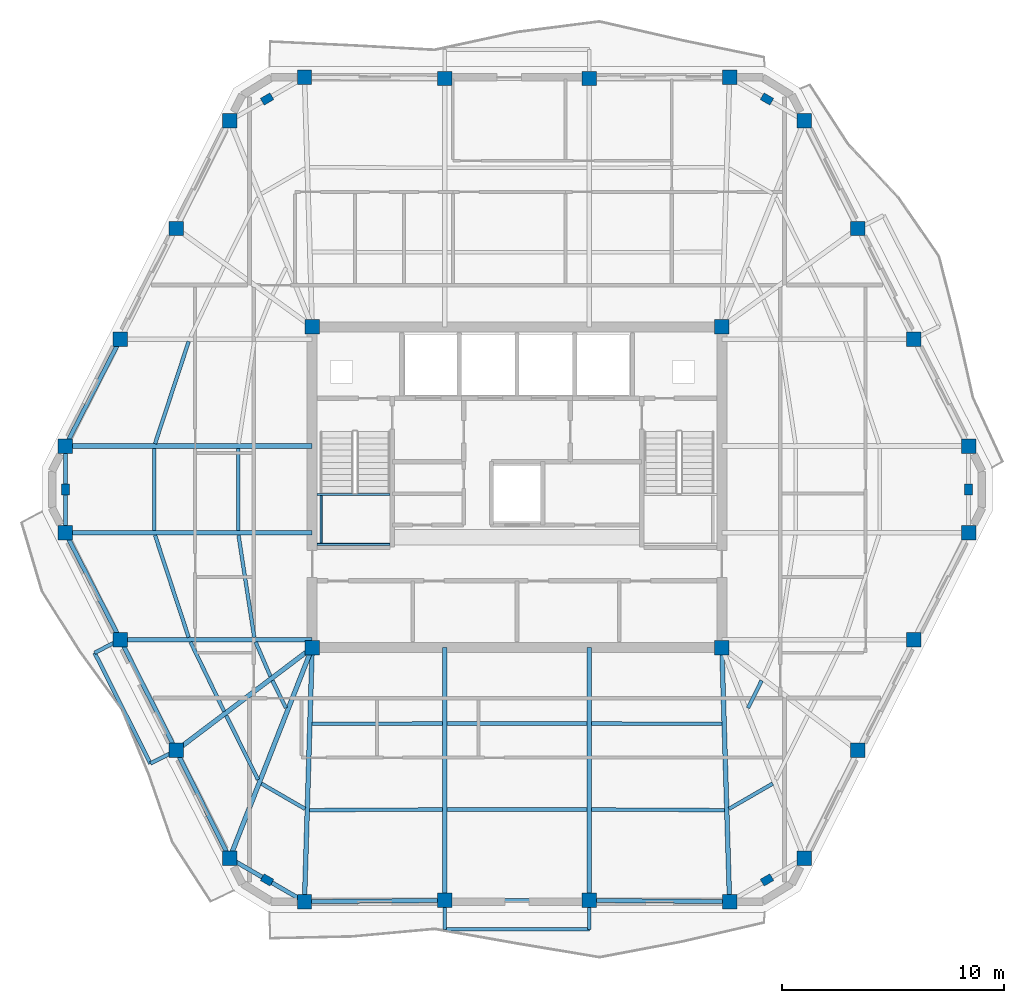
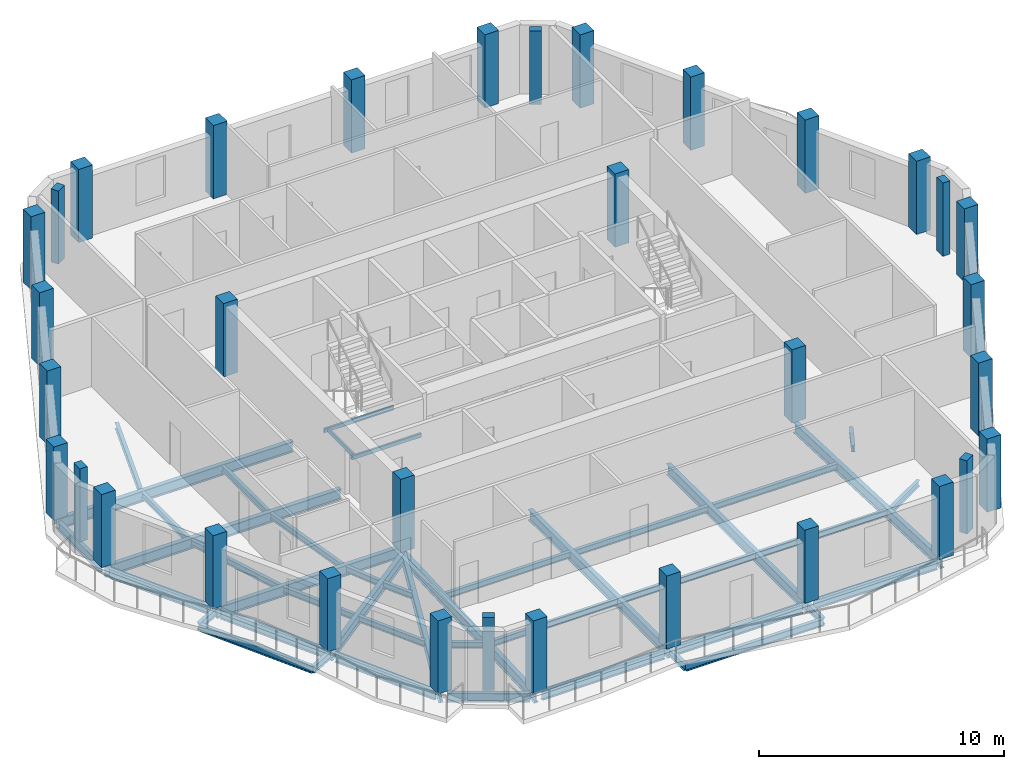
# One storey, part 1 of 10: 45 beams, 34 columns.
"""IFC4 building model written with IfcOpenShell, lengths in metres."""

from ifc_helpers import new_model, si_unit, direction, frame, origin, origin_2d, place, context, subcontext, project, spatial, rectangle, hollow_rectangle, i_section, extrude, material, material_profile, profile_set, type_object, element, save


model = new_model("IFC4")

# Units and contexts
model_context = context("Model", 3, precision=1e-05, world=origin(), true_north=direction((0.0, 1.0)))
body_context = subcontext(model_context, "Body", "Model", "MODEL_VIEW")
ifc_project = project(units=[si_unit("LENGTHUNIT", "METRE"), si_unit("AREAUNIT", "SQUARE_METRE"), si_unit("VOLUMEUNIT", "CUBIC_METRE"), si_unit("PLANEANGLEUNIT", "RADIAN"), si_unit("MASSUNIT", "GRAM", prefix="KILO")], contexts=[model_context])

# Site, building, storey
site_placement = place(None, origin())
site = spatial("IfcSite", under=ifc_project, at=site_placement, CompositionType="ELEMENT")
building_placement = place(site_placement, origin())
building = spatial("IfcBuilding", under=site, at=building_placement, Name="Cinnabar Lancet Tower", CompositionType="ELEMENT")
storey_placement = place(building_placement, frame((0.0, 0.0, 267.14990234375)))
storey = spatial("IfcBuildingStorey", under=building, at=storey_placement, Name="L71", CompositionType="ELEMENT", Elevation=267.14990234375)

# Columns
ifc_material_1 = material(Name="Concrete C50/60", Category="concrete")
ifc_material_profile_1 = material_profile(ifc_material_1, rectangle(XDim=0.64990234375, YDim=0.64990234375, at=origin_2d()), Name="RC-COL 650x650")
ifc_profile_set_1 = profile_set([ifc_material_profile_1], Name="Concrete C50/60")
column_type_1 = type_object("IfcColumnType", Name="STR-COL-CORE-650B", PredefinedType="COLUMN", material=ifc_profile_set_1)
for number, where, z_axis, x_axis, name in (
    (1, (23.175048828125, 18.675048828125, 0.0), (0.0, 0.0, 1.0), (1.0, 0.0, 0.0), "L71 Core Corner Column SW"),
    (2, (41.625, 18.675048828125, 0.0), (0.0, 0.0, 1.0), (1.0, 0.0, 0.0), "L71 Core Corner Column SE"),
    (3, (41.625, 33.125, 0.0), (0.0, 0.0, 1.0), (1.0, 0.0, 0.0), "L71 Core Corner Column NE"),
    (4, (23.175048828125, 33.125, 0.0), (0.0, 0.0, 1.0), (1.0, 0.0, 0.0), "L71 Core Corner Column NW"),
):
    element("IfcColumn", number, at=place(storey_placement, frame(where, z_axis=z_axis, x_axis=x_axis)), inside=storey, type_object=column_type_1, Name=name, PredefinedType="COLUMN", context=body_context, shape_type="SweptSolid", body=[
        extrude(rectangle(XDim=0.64990234375, YDim=0.64990234375, at=origin_2d()), origin(), (0.0, 0.0, 1.0), 3.650146484375),
    ])
ifc_material_2 = material(Name="Concrete C60/75", Category="concrete")
ifc_material_profile_2 = material_profile(ifc_material_2, rectangle(XDim=0.5, YDim=0.35009765625, at=origin_2d()), Name="RC-PIL 500x350")
ifc_profile_set_2 = profile_set([ifc_material_profile_2], Name="Concrete C60/75")
column_type_2 = type_object("IfcColumnType", Name="STR-COL-PIL-500", PredefinedType="PILASTER", material=ifc_profile_set_2)
for number, where, z_axis, x_axis, name in (
    (5, (21.14306640625, 8.215087890625, 0.0), (0.0, 0.0, 1.0), (0.865256437757, -0.501329529272, 0.0), "L71 Chamfered Corner Pilaster 1"),
    (6, (43.656982421875, 8.215087890625, 0.0), (0.0, 0.0, 1.0), (0.865256437757, 0.501329529272, 0.0), "L71 Chamfered Corner Pilaster 2"),
    (7, (52.737060546875, 25.800048828125, 0.0), (0.0, 0.0, 1.0), (0.0, 1.0, 0.0), "L71 Chamfered Corner Pilaster 3"),
    (8, (43.656982421875, 43.385009765625, 0.0), (0.0, 0.0, 1.0), (-0.865256437757, 0.501329529272, 0.0), "L71 Chamfered Corner Pilaster 4"),
    (9, (21.14306640625, 43.385009765625, 0.0), (0.0, 0.0, 1.0), (-0.865256437757, -0.501329529272, 0.0), "L71 Chamfered Corner Pilaster 5"),
    (10, (12.06298828125, 25.800048828125, 0.0), (0.0, 0.0, 1.0), (0.0, -1.0, 0.0), "L71 Chamfered Corner Pilaster 6"),
):
    element("IfcColumn", number, at=place(storey_placement, frame(where, z_axis=z_axis, x_axis=x_axis)), inside=storey, type_object=column_type_2, Name=name, PredefinedType="PILASTER", context=body_context, shape_type="SweptSolid", body=[
        extrude(rectangle(XDim=0.5, YDim=0.35009765625, at=origin_2d()), origin(), (0.0, 0.0, 1.0), 3.650146484375),
    ])
ifc_material_3 = material(Name="Concrete C50/60", Category="concrete")
ifc_material_profile_3 = material_profile(ifc_material_3, rectangle(XDim=0.64990234375, YDim=0.64990234375, at=origin_2d()), Name="RC-COL 650x650")
ifc_profile_set_3 = profile_set([ifc_material_profile_3], Name="Concrete C50/60")
column_type_3 = type_object("IfcColumnType", Name="STR-COL-TUBE-650", PredefinedType="COLUMN", material=ifc_profile_set_3)
for number, where, z_axis, x_axis, name in (
    (11, (22.827880859375, 7.239013671875, 0.0), (0.0, 0.0, 1.0), (1.0, 0.0, 0.0), "L71 Perimeter Tube Column 1"),
    (12, (29.14599609375, 7.2919921875, 0.0), (0.0, 0.0, 1.0), (1.0, 0.0, 0.0), "L71 Perimeter Tube Column 2"),
    (13, (35.654052734375, 7.2919921875, 0.0), (0.0, 0.0, 1.0), (1.0, 0.0, 0.0), "L71 Perimeter Tube Column 3"),
    (14, (41.971923828125, 7.239013671875, 0.0), (0.0, 0.0, 1.0), (1.0, 0.0, 0.0), "L71 Perimeter Tube Column 4"),
    (15, (45.341064453125, 9.19091796875, 0.0), (0.0, 0.0, 1.0), (1.0, 0.0, 0.0), "L71 Perimeter Tube Column 5"),
    (16, (47.7490234375, 14.0458984375, 0.0), (0.0, 0.0, 1.0), (1.0, 0.0, 0.0), "L71 Perimeter Tube Column 6"),
    (17, (50.263916015625, 19.032958984375, 0.0), (0.0, 0.0, 1.0), (1.0, 0.0, 0.0), "L71 Perimeter Tube Column 7"),
    (18, (52.737060546875, 23.844970703125, 0.0), (0.0, 0.0, 1.0), (1.0, 0.0, 0.0), "L71 Perimeter Tube Column 8"),
    (19, (52.737060546875, 27.7548828125, 0.0), (0.0, 0.0, 1.0), (1.0, 0.0, 0.0), "L71 Perimeter Tube Column 9"),
    (20, (50.263916015625, 32.56689453125, 0.0), (0.0, 0.0, 1.0), (1.0, 0.0, 0.0), "L71 Perimeter Tube Column 10"),
    (21, (47.7490234375, 37.553955078125, 0.0), (0.0, 0.0, 1.0), (1.0, 0.0, 0.0), "L71 Perimeter Tube Column 11"),
    (22, (45.341064453125, 42.408935546875, 0.0), (0.0, 0.0, 1.0), (1.0, 0.0, 0.0), "L71 Perimeter Tube Column 12"),
    (23, (41.971923828125, 44.361083984375, 0.0), (0.0, 0.0, 1.0), (1.0, 0.0, 0.0), "L71 Perimeter Tube Column 13"),
    (24, (35.654052734375, 44.30810546875, 0.0), (0.0, 0.0, 1.0), (1.0, 0.0, 0.0), "L71 Perimeter Tube Column 14"),
    (25, (29.14599609375, 44.30810546875, 0.0), (0.0, 0.0, 1.0), (1.0, 0.0, 0.0), "L71 Perimeter Tube Column 15"),
    (26, (22.827880859375, 44.361083984375, 0.0), (0.0, 0.0, 1.0), (1.0, 0.0, 0.0), "L71 Perimeter Tube Column 16"),
    (27, (19.458984375, 42.408935546875, 0.0), (0.0, 0.0, 1.0), (1.0, 0.0, 0.0), "L71 Perimeter Tube Column 17"),
    (28, (17.051025390625, 37.553955078125, 0.0), (0.0, 0.0, 1.0), (1.0, 0.0, 0.0), "L71 Perimeter Tube Column 18"),
    (29, (14.535888671875, 32.56689453125, 0.0), (0.0, 0.0, 1.0), (1.0, 0.0, 0.0), "L71 Perimeter Tube Column 19"),
    (30, (12.06298828125, 27.7548828125, 0.0), (0.0, 0.0, 1.0), (1.0, 0.0, 0.0), "L71 Perimeter Tube Column 20"),
    (31, (12.06298828125, 23.844970703125, 0.0), (0.0, 0.0, 1.0), (1.0, 0.0, 0.0), "L71 Perimeter Tube Column 21"),
    (32, (14.535888671875, 19.032958984375, 0.0), (0.0, 0.0, 1.0), (1.0, 0.0, 0.0), "L71 Perimeter Tube Column 22"),
    (33, (17.051025390625, 14.0458984375, 0.0), (0.0, 0.0, 1.0), (1.0, 0.0, 0.0), "L71 Perimeter Tube Column 23"),
    (34, (19.458984375, 9.19091796875, 0.0), (0.0, 0.0, 1.0), (1.0, 0.0, 0.0), "L71 Perimeter Tube Column 24"),
):
    element("IfcColumn", number, at=place(storey_placement, frame(where, z_axis=z_axis, x_axis=x_axis)), inside=storey, type_object=column_type_3, Name=name, PredefinedType="COLUMN", context=body_context, shape_type="SweptSolid", body=[
        extrude(rectangle(XDim=0.64990234375, YDim=0.64990234375, at=origin_2d()), origin(), (0.0, 0.0, 1.0), 3.650146484375),
    ])

# Beams
ifc_material_4 = material(Name="Structural steel S355", Category="steel")
ifc_material_profile_4 = material_profile(ifc_material_4, i_section(OverallWidth=0.1650390625, OverallDepth=0.303466796875, WebThickness=0.006103515625, FlangeThickness=0.01025390625, FilletRadius=0.0087890625, at=origin_2d()), Name="UKB 305x165x40")
ifc_profile_set_4 = profile_set([ifc_material_profile_4], Name="Structural steel S355")
beam_type_1 = type_object("IfcBeamType", Name="STR-BM-JST-305", PredefinedType="JOIST", material=ifc_profile_set_4)
beam_1_placement = place(storey_placement, frame((16.097900390625, 23.739990234375, -0.351806640625), z_axis=(0.312536616989, -0.949905712711, 0.0), x_axis=(0.949905712711, 0.312536616989, 0.0)))
element("IfcBeam", 35, at=beam_1_placement, inside=storey, type_object=beam_type_1, Name="L71 Secondary Floor Joist 1", PredefinedType="JOIST", context=body_context, shape_type="SweptSolid", body=[
    extrude(i_section(OverallWidth=0.1650390625, OverallDepth=0.303466796875, WebThickness=0.006103515625, FlangeThickness=0.01025390625, FilletRadius=0.0087890625, at=origin_2d()), origin(), (0.0, 0.0, 1.0), 4.8447265625),
])
beam_2_placement = place(storey_placement, frame((19.85791015625, 23.739990234375, -0.351806640625), z_axis=(0.152262059154, -0.988340156698, 0.0), x_axis=(0.988340156698, 0.152262059154, 0.0)))
element("IfcBeam", 36, at=beam_2_placement, inside=storey, type_object=beam_type_1, Name="L71 Secondary Floor Joist 2", PredefinedType="JOIST", context=body_context, shape_type="SweptSolid", body=[
    extrude(i_section(OverallWidth=0.1650390625, OverallDepth=0.303466796875, WebThickness=0.006103515625, FlangeThickness=0.01025390625, FilletRadius=0.0087890625, at=origin_2d()), origin(), (0.0, 0.0, 1.0), 4.65625),
])
beam_3_placement = place(storey_placement, frame((17.697021484375, 18.927978515625, -0.351806640625), z_axis=(0.43610936109, -0.899893674369, 0.0), x_axis=(0.899893674369, 0.43610936109, 0.0)))
element("IfcBeam", 37, at=beam_3_placement, inside=storey, type_object=beam_type_1, Name="L71 Secondary Floor Joist 3", PredefinedType="JOIST", context=body_context, shape_type="SweptSolid", body=[
    extrude(i_section(OverallWidth=0.1650390625, OverallDepth=0.303466796875, WebThickness=0.006103515625, FlangeThickness=0.01025390625, FilletRadius=0.0087890625, at=origin_2d()), origin(), (0.0, 0.0, 1.0), 3.467041015625),
])
beam_4_placement = place(storey_placement, frame((20.62890625, 18.927978515625, -0.351806640625), z_axis=(0.396302440144, -0.91812002262, 0.0), x_axis=(0.91812002262, 0.396302440144, 0.0)))
element("IfcBeam", 38, at=beam_4_placement, inside=storey, type_object=beam_type_1, Name="L71 Secondary Floor Joist 4", PredefinedType="JOIST", context=body_context, shape_type="SweptSolid", body=[
    extrude(i_section(OverallWidth=0.1650390625, OverallDepth=0.303466796875, WebThickness=0.006103515625, FlangeThickness=0.01025390625, FilletRadius=0.0087890625, at=origin_2d()), origin(), (0.0, 0.0, 1.0), 1.6806640625),
])
beam_5_placement = place(storey_placement, frame((19.302978515625, 15.616943359375, -0.351806640625), z_axis=(0.444330443712, -0.895862967641, 0.0), x_axis=(0.895862967641, 0.444330443712, 0.0)))
element("IfcBeam", 39, at=beam_5_placement, inside=storey, type_object=beam_type_1, Name="L71 Secondary Floor Joist 5", PredefinedType="JOIST", context=body_context, shape_type="SweptSolid", body=[
    extrude(i_section(OverallWidth=0.1650390625, OverallDepth=0.303466796875, WebThickness=0.006103515625, FlangeThickness=0.01025390625, FilletRadius=0.0087890625, at=origin_2d()), origin(), (0.0, 0.0, 1.0), 3.220458984375),
])
beam_6_placement = place(storey_placement, frame((21.385009765625, 17.19091796875, -0.351806640625), z_axis=(0.444093192127, -0.89598060063, 0.0), x_axis=(0.89598060063, 0.444093192127, 0.0)))
element("IfcBeam", 40, at=beam_6_placement, inside=storey, type_object=beam_type_1, Name="L71 Secondary Floor Joist 6", PredefinedType="JOIST", context=body_context, shape_type="SweptSolid", body=[
    extrude(i_section(OverallWidth=0.1650390625, OverallDepth=0.303466796875, WebThickness=0.006103515625, FlangeThickness=0.01025390625, FilletRadius=0.0087890625, at=origin_2d()), origin(), (0.0, 0.0, 1.0), 1.378173828125),
])
beam_7_placement = place(storey_placement, frame((20.887939453125, 12.552001953125, -0.351806640625), z_axis=(0.865426285481, -0.501036270542, 0.0), x_axis=(0.501036270542, 0.865426285481, 0.0)))
element("IfcBeam", 41, at=beam_7_placement, inside=storey, type_object=beam_type_1, Name="L71 Secondary Floor Joist 7", PredefinedType="JOIST", context=body_context, shape_type="SweptSolid", body=[
    extrude(i_section(OverallWidth=0.1650390625, OverallDepth=0.303466796875, WebThickness=0.006103515625, FlangeThickness=0.01025390625, FilletRadius=0.0087890625, at=origin_2d()), origin(), (0.0, 0.0, 1.0), 2.267333984375),
])
beam_8_placement = place(storey_placement, frame((23.05810546875, 11.35693359375, -0.351806640625), z_axis=(0.999985712428, 0.005345553266, 0.0), x_axis=(-0.005345553266, 0.999985712428, 0.0)))
element("IfcBeam", 42, at=beam_8_placement, inside=storey, type_object=beam_type_1, Name="L71 Secondary Floor Joist 8", PredefinedType="JOIST", context=body_context, shape_type="SweptSolid", body=[
    extrude(i_section(OverallWidth=0.1650390625, OverallDepth=0.303466796875, WebThickness=0.006103515625, FlangeThickness=0.01025390625, FilletRadius=0.0087890625, at=origin_2d()), origin(), (0.0, 0.0, 1.0), 5.98291015625),
])
beam_9_placement = place(storey_placement, frame((23.176025390625, 15.243896484375, -0.351806640625), z_axis=(0.999996226008, 0.002747356738, 0.0), x_axis=(-0.002747356738, 0.999996226008, 0.0)))
element("IfcBeam", 43, at=beam_9_placement, inside=storey, type_object=beam_type_1, Name="L71 Secondary Floor Joist 9", PredefinedType="JOIST", context=body_context, shape_type="SweptSolid", body=[
    extrude(i_section(OverallWidth=0.1650390625, OverallDepth=0.303466796875, WebThickness=0.006103515625, FlangeThickness=0.01025390625, FilletRadius=0.0087890625, at=origin_2d()), origin(), (0.0, 0.0, 1.0), 5.864990234375),
])
for number, where, z_axis, x_axis, name in (
    (44, (29.2509765625, 11.389892578125, -0.351806640625), (1.0, 0.0, 0.0), (0.0, 1.0, 0.0), "L71 Secondary Floor Joist 10"),
    (45, (29.2509765625, 15.260009765625, -0.351806640625), (1.0, 0.0, 0.0), (0.0, 1.0, 0.0), "L71 Secondary Floor Joist 11"),
):
    element("IfcBeam", number, at=place(storey_placement, frame(where, z_axis=z_axis, x_axis=x_axis)), inside=storey, type_object=beam_type_1, Name=name, PredefinedType="JOIST", context=body_context, shape_type="SweptSolid", body=[
        extrude(i_section(OverallWidth=0.1650390625, OverallDepth=0.303466796875, WebThickness=0.006103515625, FlangeThickness=0.01025390625, FilletRadius=0.0087890625, at=origin_2d()), origin(), (0.0, 0.0, 1.0), 6.298095703125),
    ])
beam_10_placement = place(storey_placement, frame((35.759033203125, 11.388916015625, -0.351806640625), z_axis=(0.999985712428, -0.005345553266, 0.0), x_axis=(0.005345553266, 0.999985712428, 0.0)))
element("IfcBeam", 46, at=beam_10_placement, inside=storey, type_object=beam_type_1, Name="L71 Secondary Floor Joist 12", PredefinedType="JOIST", context=body_context, shape_type="SweptSolid", body=[
    extrude(i_section(OverallWidth=0.1650390625, OverallDepth=0.303466796875, WebThickness=0.006103515625, FlangeThickness=0.01025390625, FilletRadius=0.0087890625, at=origin_2d()), origin(), (0.0, 0.0, 1.0), 5.98291015625),
])
beam_11_placement = place(storey_placement, frame((35.759033203125, 15.260009765625, -0.351806640625), z_axis=(0.999996226008, -0.002747356738, 0.0), x_axis=(0.002747356738, 0.999996226008, 0.0)))
element("IfcBeam", 47, at=beam_11_placement, inside=storey, type_object=beam_type_1, Name="L71 Secondary Floor Joist 13", PredefinedType="JOIST", context=body_context, shape_type="SweptSolid", body=[
    extrude(i_section(OverallWidth=0.1650390625, OverallDepth=0.303466796875, WebThickness=0.006103515625, FlangeThickness=0.01025390625, FilletRadius=0.0087890625, at=origin_2d()), origin(), (0.0, 0.0, 1.0), 5.864990234375),
])
beam_12_placement = place(storey_placement, frame((41.949951171875, 11.416015625, -0.351806640625), z_axis=(0.865426285481, 0.501036270542, 0.0), x_axis=(-0.501036270542, 0.865426285481, 0.0)))
element("IfcBeam", 48, at=beam_12_placement, inside=storey, type_object=beam_type_1, Name="L71 Secondary Floor Joist 14", PredefinedType="JOIST", context=body_context, shape_type="SweptSolid", body=[
    extrude(i_section(OverallWidth=0.1650390625, OverallDepth=0.303466796875, WebThickness=0.006103515625, FlangeThickness=0.01025390625, FilletRadius=0.0087890625, at=origin_2d()), origin(), (0.0, 0.0, 1.0), 2.267333984375),
])
beam_13_placement = place(storey_placement, frame((42.802978515625, 15.9560546875, -0.351806640625), z_axis=(0.444093192127, 0.89598060063, 0.0), x_axis=(-0.89598060063, 0.444093192127, 0.0)))
element("IfcBeam", 49, at=beam_13_placement, inside=storey, type_object=beam_type_1, Name="L71 Secondary Floor Joist 16", PredefinedType="JOIST", context=body_context, shape_type="SweptSolid", body=[
    extrude(i_section(OverallWidth=0.1650390625, OverallDepth=0.303466796875, WebThickness=0.006103515625, FlangeThickness=0.01025390625, FilletRadius=0.0087890625, at=origin_2d()), origin(), (0.0, 0.0, 1.0), 1.378173828125),
])
beam_14_placement = place(storey_placement, frame((17.612060546875, 32.4619140625, -0.351806640625), z_axis=(-0.312551578319, -0.949900790025, 0.0), x_axis=(0.949900790025, -0.312551578319, 0.0)))
element("IfcBeam", 50, at=beam_14_placement, inside=storey, type_object=beam_type_1, Name="L71 Secondary Floor Joist 41", PredefinedType="JOIST", context=body_context, shape_type="SweptSolid", body=[
    extrude(i_section(OverallWidth=0.1650390625, OverallDepth=0.303466796875, WebThickness=0.006103515625, FlangeThickness=0.01025390625, FilletRadius=0.0087890625, at=origin_2d()), origin(), (0.0, 0.0, 1.0), 4.844482421875),
])
for number, where, z_axis, x_axis, name in (
    (51, (16.06298828125, 27.64990234375, -0.351806640625), (0.0, -1.0, 0.0), (1.0, 0.0, 0.0), "L71 Secondary Floor Joist 43"),
    (52, (19.841064453125, 27.64990234375, -0.351806640625), (0.0, -1.0, 0.0), (1.0, 0.0, 0.0), "L71 Secondary Floor Joist 44"),
):
    element("IfcBeam", number, at=place(storey_placement, frame(where, z_axis=z_axis, x_axis=x_axis)), inside=storey, type_object=beam_type_1, Name=name, PredefinedType="JOIST", context=body_context, shape_type="SweptSolid", body=[
        extrude(i_section(OverallWidth=0.1650390625, OverallDepth=0.303466796875, WebThickness=0.006103515625, FlangeThickness=0.01025390625, FilletRadius=0.0087890625, at=origin_2d()), origin(), (0.0, 0.0, 1.0), 3.699951171875),
    ])
ifc_material_5 = material(Name="Structural steel S355", Category="steel")
ifc_material_profile_5 = material_profile(ifc_material_5, hollow_rectangle(XDim=0.10009765625, YDim=0.199951171875, WallThickness=0.008056640625, InnerFilletRadius=0.00390625, OuterFilletRadius=0.011962890625, at=origin_2d()), Name="RHS 200x100x8")
ifc_profile_set_5 = profile_set([ifc_material_profile_5], Name="Structural steel S355")
beam_type_2 = type_object("IfcBeamType", Name="STR-BM-LND-203", PredefinedType="BEAM", material=ifc_profile_set_5)
for number, where, z_axis, x_axis, name in (
    (53, (23.39990234375, 23.330078125, 1.525146484375), (1.0, 0.0, 0.0), (0.0, 1.0, 0.0), "L71 ST-1-L71 Landing Support Beam S"),
    (54, (23.39990234375, 25.570068359375, 1.525146484375), (1.0, 0.0, 0.0), (0.0, 1.0, 0.0), "L71 ST-1-L71 Landing Support Beam N"),
):
    element("IfcBeam", number, at=place(storey_placement, frame(where, z_axis=z_axis, x_axis=x_axis)), inside=storey, type_object=beam_type_2, Name=name, PredefinedType="BEAM", context=body_context, shape_type="SweptSolid", body=[
        extrude(hollow_rectangle(XDim=0.10009765625, YDim=0.199951171875, WallThickness=0.008056640625, InnerFilletRadius=0.00390625, OuterFilletRadius=0.011962890625, at=origin_2d()), origin(), (0.0, 0.0, 1.0), 3.280029296875),
    ])
beam_15_placement = place(storey_placement, frame((23.580078125, 23.3798828125, 1.525146484375), z_axis=(0.0, 1.0, 0.0), x_axis=(-1.0, 0.0, 0.0)))
element("IfcBeam", 55, at=beam_15_placement, inside=storey, type_object=beam_type_2, Name="L71 ST-1-L71 Landing Side Trimmer Beam", PredefinedType="BEAM", context=body_context, shape_type="SweptSolid", body=[
    extrude(hollow_rectangle(XDim=0.10009765625, YDim=0.199951171875, WallThickness=0.008056640625, InnerFilletRadius=0.00390625, OuterFilletRadius=0.011962890625, at=origin_2d()), origin(), (0.0, 0.0, 1.0), 2.14013671875),
])
ifc_material_6 = material(Name="Structural steel S355", Category="steel")
ifc_material_profile_6 = material_profile(ifc_material_6, i_section(OverallWidth=0.1904296875, OverallDepth=0.45703125, WebThickness=0.009033203125, FlangeThickness=0.014404296875, FilletRadius=0.01025390625, at=origin_2d()), Name="UKB 457x191x74")
ifc_profile_set_6 = profile_set([ifc_material_profile_6], Name="Structural steel S355")
beam_type_3 = type_object("IfcBeamType", Name="STR-BM-SPN-457", PredefinedType="SPANDREL", material=ifc_profile_set_6)
beam_16_placement = place(storey_placement, frame((23.077880859375, 7.240966796875, -0.428955078125), z_axis=(0.999964432412, 0.008434092187, 0.0), x_axis=(-0.008434092187, 0.999964432412, 0.0)))
element("IfcBeam", 56, at=beam_16_placement, inside=storey, type_object=beam_type_3, Name="L71 Perimeter Spandrel 1", PredefinedType="SPANDREL", context=body_context, shape_type="SweptSolid", body=[
    extrude(i_section(OverallWidth=0.1904296875, OverallDepth=0.45703125, WebThickness=0.009033203125, FlangeThickness=0.014404296875, FilletRadius=0.01025390625, at=origin_2d()), origin(), (0.0, 0.0, 1.0), 5.818359375),
])
beam_17_placement = place(storey_placement, frame((29.39599609375, 7.2919921875, -0.428955078125), z_axis=(1.0, 0.0, 0.0), x_axis=(0.0, 1.0, 0.0)))
element("IfcBeam", 57, at=beam_17_placement, inside=storey, type_object=beam_type_3, Name="L71 Perimeter Spandrel 2", PredefinedType="SPANDREL", context=body_context, shape_type="SweptSolid", body=[
    extrude(i_section(OverallWidth=0.1904296875, OverallDepth=0.45703125, WebThickness=0.009033203125, FlangeThickness=0.014404296875, FilletRadius=0.01025390625, at=origin_2d()), origin(), (0.0, 0.0, 1.0), 6.008056640625),
])
beam_18_placement = place(storey_placement, frame((35.904052734375, 7.2900390625, -0.428955078125), z_axis=(0.999964429427, -0.00843444609, 0.0), x_axis=(0.00843444609, 0.999964429427, 0.0)))
element("IfcBeam", 58, at=beam_18_placement, inside=storey, type_object=beam_type_3, Name="L71 Perimeter Spandrel 3", PredefinedType="SPANDREL", context=body_context, shape_type="SweptSolid", body=[
    extrude(i_section(OverallWidth=0.1904296875, OverallDepth=0.45703125, WebThickness=0.009033203125, FlangeThickness=0.014404296875, FilletRadius=0.01025390625, at=origin_2d()), origin(), (0.0, 0.0, 1.0), 5.818115234375),
])
beam_19_placement = place(storey_placement, frame((14.422119140625, 32.344970703125, -0.428955078125), z_axis=(-0.457148063427, -0.889390604912, 0.0), x_axis=(0.889390604912, -0.457148063427, 0.0)))
element("IfcBeam", 59, at=beam_19_placement, inside=storey, type_object=beam_type_3, Name="L71 Perimeter Spandrel 19", PredefinedType="SPANDREL", context=body_context, shape_type="SweptSolid", body=[
    extrude(i_section(OverallWidth=0.1904296875, OverallDepth=0.45703125, WebThickness=0.009033203125, FlangeThickness=0.014404296875, FilletRadius=0.01025390625, at=origin_2d()), origin(), (0.0, 0.0, 1.0), 4.9111328125),
])
beam_20_placement = place(storey_placement, frame((12.06298828125, 27.5048828125, -0.428955078125), z_axis=(0.0, -1.0, 0.0), x_axis=(1.0, 0.0, 0.0)))
element("IfcBeam", 60, at=beam_20_placement, inside=storey, type_object=beam_type_3, Name="L71 Perimeter Spandrel 20", PredefinedType="SPANDREL", context=body_context, shape_type="SweptSolid", body=[
    extrude(i_section(OverallWidth=0.1904296875, OverallDepth=0.45703125, WebThickness=0.009033203125, FlangeThickness=0.014404296875, FilletRadius=0.01025390625, at=origin_2d()), origin(), (0.0, 0.0, 1.0), 3.409912109375),
])
beam_21_placement = place(storey_placement, frame((12.177001953125, 23.623046875, -0.428955078125), z_axis=(0.457127852293, -0.889400993174, 0.0), x_axis=(0.889400993174, 0.457127852293, 0.0)))
element("IfcBeam", 61, at=beam_21_placement, inside=storey, type_object=beam_type_3, Name="L71 Perimeter Spandrel 21", PredefinedType="SPANDREL", context=body_context, shape_type="SweptSolid", body=[
    extrude(i_section(OverallWidth=0.1904296875, OverallDepth=0.45703125, WebThickness=0.009033203125, FlangeThickness=0.014404296875, FilletRadius=0.01025390625, at=origin_2d()), origin(), (0.0, 0.0, 1.0), 4.911376953125),
])
beam_22_placement = place(storey_placement, frame((14.64892578125, 18.81005859375, -0.428955078125), z_axis=(0.450130146726, -0.892962961722, 0.0), x_axis=(0.892962961722, 0.450130146726, 0.0)))
element("IfcBeam", 62, at=beam_22_placement, inside=storey, type_object=beam_type_3, Name="L71 Perimeter Spandrel 22", PredefinedType="SPANDREL", context=body_context, shape_type="SweptSolid", body=[
    extrude(i_section(OverallWidth=0.1904296875, OverallDepth=0.45703125, WebThickness=0.009033203125, FlangeThickness=0.014404296875, FilletRadius=0.01025390625, at=origin_2d()), origin(), (0.0, 0.0, 1.0), 5.08544921875),
])
beam_23_placement = place(storey_placement, frame((17.162109375, 13.822021484375, -0.428955078125), z_axis=(0.44433276947, -0.895861814107, 0.0), x_axis=(0.895861814107, 0.44433276947, 0.0)))
element("IfcBeam", 63, at=beam_23_placement, inside=storey, type_object=beam_type_3, Name="L71 Perimeter Spandrel 23", PredefinedType="SPANDREL", context=body_context, shape_type="SweptSolid", body=[
    extrude(i_section(OverallWidth=0.1904296875, OverallDepth=0.45703125, WebThickness=0.009033203125, FlangeThickness=0.014404296875, FilletRadius=0.01025390625, at=origin_2d()), origin(), (0.0, 0.0, 1.0), 4.919189453125),
])
beam_24_placement = place(storey_placement, frame((19.675048828125, 9.06591796875, -0.428955078125), z_axis=(0.865230894194, -0.50137361292, 0.0), x_axis=(0.50137361292, 0.865230894194, 0.0)))
element("IfcBeam", 64, at=beam_24_placement, inside=storey, type_object=beam_type_3, Name="L71 Perimeter Spandrel 24", PredefinedType="SPANDREL", context=body_context, shape_type="SweptSolid", body=[
    extrude(i_section(OverallWidth=0.1904296875, OverallDepth=0.45703125, WebThickness=0.009033203125, FlangeThickness=0.014404296875, FilletRadius=0.01025390625, at=origin_2d()), origin(), (0.0, 0.0, 1.0), 3.39453125),
])
ifc_material_7 = material(Name="Structural steel S355", Category="steel")
ifc_material_profile_7 = material_profile(ifc_material_7, i_section(OverallWidth=0.209228515625, OverallDepth=0.533203125, WebThickness=0.010009765625, FlangeThickness=0.015625, FilletRadius=0.0126953125, at=origin_2d()), Name="UKB 533x210x92")
ifc_profile_set_7 = profile_set([ifc_material_profile_7], Name="Structural steel S355")
beam_type_4 = type_object("IfcBeamType", Name="STR-BM-UKB533-92", PredefinedType="BEAM", material=ifc_profile_set_7)
beam_25_placement = place(storey_placement, frame((17.051025390625, 14.0458984375, -0.466796875), z_axis=(0.797735075719, 0.603008083667, 0.0), x_axis=(-0.603008083667, 0.797735075719, 0.0)))
element("IfcBeam", 65, at=beam_25_placement, inside=storey, type_object=beam_type_4, Name="L71 Corner Collector Girder 1", PredefinedType="BEAM", context=body_context, shape_type="SweptSolid", body=[
    extrude(i_section(OverallWidth=0.209228515625, OverallDepth=0.533203125, WebThickness=0.010009765625, FlangeThickness=0.015625, FilletRadius=0.0126953125, at=origin_2d()), origin(), (0.0, 0.0, 1.0), 7.6767578125),
])
beam_26_placement = place(storey_placement, frame((22.827880859375, 7.239013671875, -0.466796875), z_axis=(0.030343393029, 0.999539533235, 0.0), x_axis=(-0.999539533235, 0.030343393029, 0.0)))
element("IfcBeam", 66, at=beam_26_placement, inside=storey, type_object=beam_type_4, Name="L71 Primary Floor Girder 1", PredefinedType="BEAM", context=body_context, shape_type="SweptSolid", body=[
    extrude(i_section(OverallWidth=0.209228515625, OverallDepth=0.533203125, WebThickness=0.010009765625, FlangeThickness=0.015625, FilletRadius=0.0126953125, at=origin_2d()), origin(), (0.0, 0.0, 1.0), 11.44140625),
])
for number, where, z_axis, x_axis, name in (
    (67, (29.14599609375, 7.2919921875, -0.466796875), (0.0, 1.0, 0.0), (-1.0, 0.0, 0.0), "L71 Primary Floor Girder 2"),
    (68, (35.654052734375, 7.2919921875, -0.466796875), (0.0, 1.0, 0.0), (-1.0, 0.0, 0.0), "L71 Primary Floor Girder 3"),
):
    element("IfcBeam", number, at=place(storey_placement, frame(where, z_axis=z_axis, x_axis=x_axis)), inside=storey, type_object=beam_type_4, Name=name, PredefinedType="BEAM", context=body_context, shape_type="SweptSolid", body=[
        extrude(i_section(OverallWidth=0.209228515625, OverallDepth=0.533203125, WebThickness=0.010009765625, FlangeThickness=0.015625, FilletRadius=0.0126953125, at=origin_2d()), origin(), (0.0, 0.0, 1.0), 11.383056640625),
    ])
beam_27_placement = place(storey_placement, frame((41.971923828125, 7.239013671875, -0.466796875), z_axis=(-0.030322074123, 0.999540180193, 0.0), x_axis=(-0.999540180193, -0.030322074123, 0.0)))
element("IfcBeam", 69, at=beam_27_placement, inside=storey, type_object=beam_type_4, Name="L71 Primary Floor Girder 4", PredefinedType="BEAM", context=body_context, shape_type="SweptSolid", body=[
    extrude(i_section(OverallWidth=0.209228515625, OverallDepth=0.533203125, WebThickness=0.010009765625, FlangeThickness=0.015625, FilletRadius=0.0126953125, at=origin_2d()), origin(), (0.0, 0.0, 1.0), 11.44140625),
])
for number, where, z_axis, x_axis, name in (
    (70, (12.06298828125, 27.7548828125, -0.466796875), (1.0, 0.0, 0.0), (0.0, 1.0, 0.0), "L71 Primary Floor Girder 20"),
    (71, (12.06298828125, 23.844970703125, -0.466796875), (1.0, 0.0, 0.0), (0.0, 1.0, 0.0), "L71 Primary Floor Girder 21"),
):
    element("IfcBeam", number, at=place(storey_placement, frame(where, z_axis=z_axis, x_axis=x_axis)), inside=storey, type_object=beam_type_4, Name=name, PredefinedType="BEAM", context=body_context, shape_type="SweptSolid", body=[
        extrude(i_section(OverallWidth=0.209228515625, OverallDepth=0.533203125, WebThickness=0.010009765625, FlangeThickness=0.015625, FilletRadius=0.0126953125, at=origin_2d()), origin(), (0.0, 0.0, 1.0), 11.112060546875),
    ])
beam_28_placement = place(storey_placement, frame((14.535888671875, 19.032958984375, -0.466796875), z_axis=(1.0, 0.0, 0.0), x_axis=(0.0, 1.0, 0.0)))
element("IfcBeam", 72, at=beam_28_placement, inside=storey, type_object=beam_type_4, Name="L71 Primary Floor Girder 22", PredefinedType="BEAM", context=body_context, shape_type="SweptSolid", body=[
    extrude(i_section(OverallWidth=0.209228515625, OverallDepth=0.533203125, WebThickness=0.010009765625, FlangeThickness=0.015625, FilletRadius=0.0126953125, at=origin_2d()), origin(), (0.0, 0.0, 1.0), 8.63916015625),
])
beam_29_placement = place(storey_placement, frame((19.458984375, 9.19091796875, -0.466796875), z_axis=(0.364815017375, 0.931080019707, 0.0), x_axis=(-0.931080019707, 0.364815017375, 0.0)))
element("IfcBeam", 73, at=beam_29_placement, inside=storey, type_object=beam_type_4, Name="L71 Primary Floor Girder 24", PredefinedType="BEAM", context=body_context, shape_type="SweptSolid", body=[
    extrude(i_section(OverallWidth=0.209228515625, OverallDepth=0.533203125, WebThickness=0.010009765625, FlangeThickness=0.015625, FilletRadius=0.0126953125, at=origin_2d()), origin(), (0.0, 0.0, 1.0), 10.186279296875),
])
ifc_material_8 = material(Name="Structural steel S355", Category="steel")
ifc_material_profile_8 = material_profile(ifc_material_8, i_section(OverallWidth=0.17138671875, OverallDepth=0.35498046875, WebThickness=0.00732421875, FlangeThickness=0.011474609375, FilletRadius=0.01025390625, at=origin_2d()), Name="UKB 356x171x51")
ifc_profile_set_8 = profile_set([ifc_material_profile_8], Name="Structural steel S355")
beam_type_5 = type_object("IfcBeamType", Name="STR-BM-WAV-OUT", PredefinedType="BEAM", material=ifc_profile_set_8)
for number, where, z_axis, x_axis, name in (
    (74, (29.14599609375, 7.2919921875, -0.39794921875), (0.0, -1.0, 0.0), (1.0, 0.0, 0.0), "L71 Face 1 Balcony Outlooker A"),
    (75, (35.654052734375, 7.2919921875, -0.39794921875), (0.0, -1.0, 0.0), (1.0, 0.0, 0.0), "L71 Face 1 Balcony Outlooker B"),
    (76, (14.535888671875, 19.032958984375, -0.39794921875), (-0.89227592947, -0.451490493464, 0.0), (0.451490493464, -0.89227592947, 0.0), "L71 Face 6 Balcony Outlooker A"),
    (77, (17.051025390625, 14.0458984375, -0.39794921875), (-0.89227592947, -0.451490493464, 0.0), (0.451490493464, -0.89227592947, 0.0), "L71 Face 6 Balcony Outlooker B"),
):
    element("IfcBeam", number, at=place(storey_placement, frame(where, z_axis=z_axis, x_axis=x_axis)), inside=storey, type_object=beam_type_5, Name=name, PredefinedType="BEAM", context=body_context, shape_type="SweptSolid", body=[
        extrude(i_section(OverallWidth=0.17138671875, OverallDepth=0.35498046875, WebThickness=0.00732421875, FlangeThickness=0.011474609375, FilletRadius=0.01025390625, at=origin_2d()), origin(), (0.0, 0.0, 1.0), 1.300048828125),
    ])
ifc_material_9 = material(Name="Structural steel S355", Category="steel")
ifc_material_profile_9 = material_profile(ifc_material_9, i_section(OverallWidth=0.17138671875, OverallDepth=0.35498046875, WebThickness=0.00732421875, FlangeThickness=0.011474609375, FilletRadius=0.01025390625, at=origin_2d()), Name="UKB 356x171x51")
ifc_profile_set_9 = profile_set([ifc_material_profile_9], Name="Structural steel S355")
beam_type_6 = type_object("IfcBeamType", Name="STR-BM-WAV-TRIM", PredefinedType="SPANDREL", material=ifc_profile_set_9)
beam_30_placement = place(storey_placement, frame((29.14599609375, 5.991943359375, -0.39794921875), z_axis=(1.0, 0.0, 0.0), x_axis=(0.0, 1.0, 0.0)))
element("IfcBeam", 78, at=beam_30_placement, inside=storey, type_object=beam_type_6, Name="L71 Face 1 Balcony Edge Trimmer", PredefinedType="SPANDREL", context=body_context, shape_type="SweptSolid", body=[
    extrude(i_section(OverallWidth=0.17138671875, OverallDepth=0.35498046875, WebThickness=0.00732421875, FlangeThickness=0.011474609375, FilletRadius=0.01025390625, at=origin_2d()), origin(), (0.0, 0.0, 1.0), 6.508056640625),
])
beam_31_placement = place(storey_placement, frame((13.3759765625, 18.446044921875, -0.39794921875), z_axis=(0.450305622338, -0.892874485295, 0.0), x_axis=(0.892874485295, 0.450305622338, 0.0)))
element("IfcBeam", 79, at=beam_31_placement, inside=storey, type_object=beam_type_6, Name="L71 Face 6 Balcony Edge Trimmer", PredefinedType="SPANDREL", context=body_context, shape_type="SweptSolid", body=[
    extrude(i_section(OverallWidth=0.17138671875, OverallDepth=0.35498046875, WebThickness=0.00732421875, FlangeThickness=0.011474609375, FilletRadius=0.01025390625, at=origin_2d()), origin(), (0.0, 0.0, 1.0), 5.58544921875),
])

save(model, "model.ifc")
